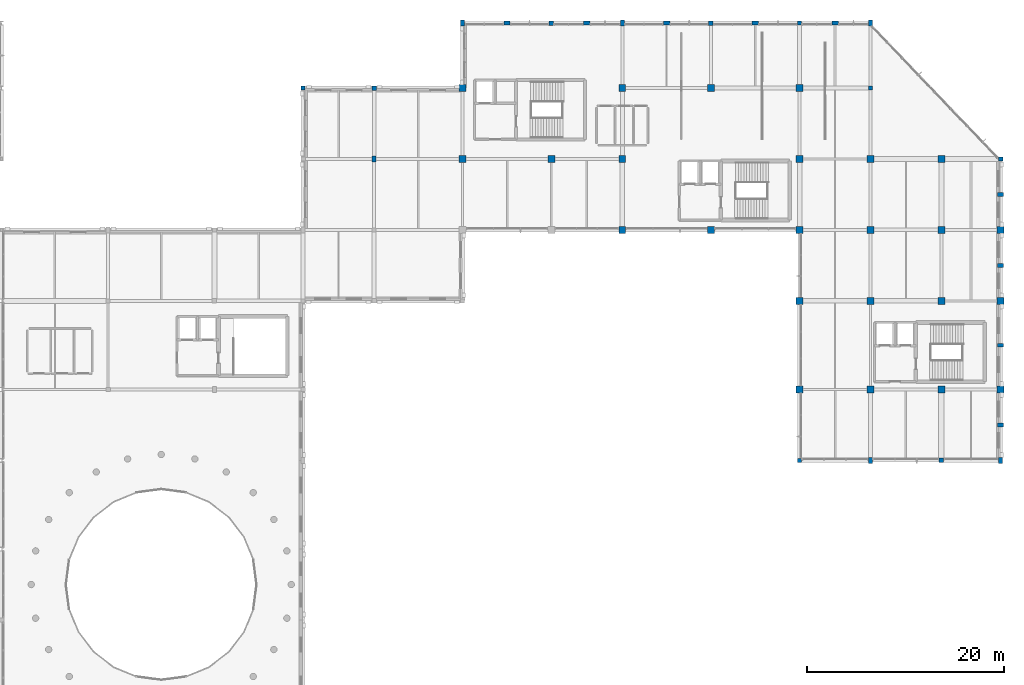
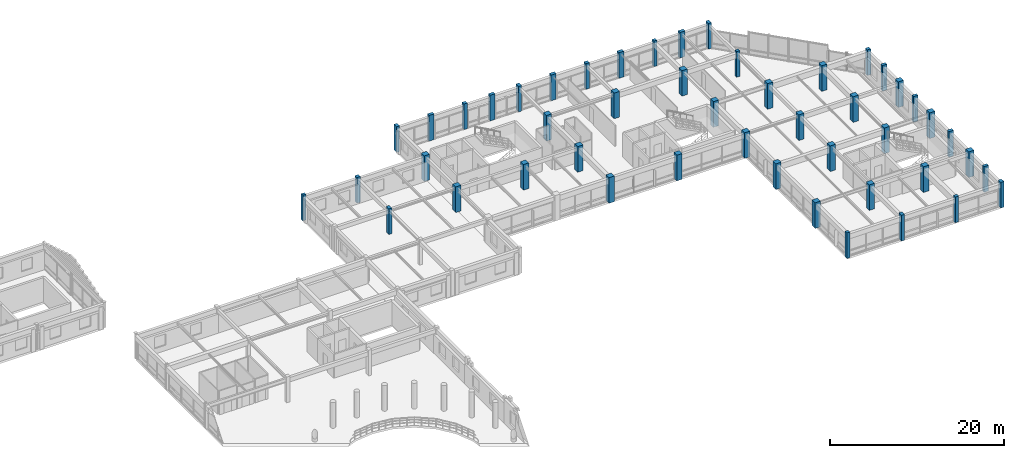
# One storey, part 10 of 52: 48 columns.
"""IFC4 building model written with IfcOpenShell, lengths in metres."""

from ifc_helpers import new_model, si_unit, direction, frame, origin, origin_2d, place, context, subcontext, project, spatial, rectangle, extrude, material, material_profile, profile_set, type_object, element, save


model = new_model("IFC4")

# Units and contexts
model_context = context("Model", 3, precision=1e-05, world=origin(), true_north=direction((0.0, 1.0)))
body_context = subcontext(model_context, "Body", "Model", "MODEL_VIEW")
ifc_project = project(units=[si_unit("LENGTHUNIT", "METRE"), si_unit("AREAUNIT", "SQUARE_METRE"), si_unit("VOLUMEUNIT", "CUBIC_METRE"), si_unit("PLANEANGLEUNIT", "RADIAN"), si_unit("MASSUNIT", "GRAM", prefix="KILO")], contexts=[model_context])

# Site, building, storey
site_placement = place(None, origin())
site = spatial("IfcSite", under=ifc_project, at=site_placement, CompositionType="ELEMENT")
building_placement = place(site_placement, origin())
building = spatial("IfcBuilding", under=site, at=building_placement, Name="Clarverna Civic Hall", CompositionType="ELEMENT")
storey_placement = place(building_placement, frame((0.0, 0.0, 16.800048828125)))
storey = spatial("IfcBuildingStorey", under=building, at=storey_placement, Name="L04", CompositionType="ELEMENT", Elevation=16.800048828125)

# Columns
ifc_material_1 = material(Name="Precast concrete C40/50", Category="concrete")
ifc_material_profile_1 = material_profile(ifc_material_1, rectangle(XDim=0.64990234375, YDim=0.419921875, at=origin_2d()), Name="PILASTER 650x420")
ifc_profile_set_1 = profile_set([ifc_material_profile_1], Name="Precast concrete C40/50")
column_type_1 = type_object("IfcColumnType", Name="C-PL1", PredefinedType="PILASTER", material=ifc_profile_set_1)
for number, where, z_axis, x_axis, name in (
    (1, (117.89990234375, 116.0, 0.0), (0.0, 0.0, 1.0), (1.0, 0.0, 0.0), "C-PL1-006"),
    (2, (126.0, 116.0, 0.0), (0.0, 0.0, 1.0), (1.0, 0.0, 0.0), "C-PL1-013"),
    (3, (134.10009765625, 116.0, 0.0), (0.0, 0.0, 1.0), (1.0, 0.0, 0.0), "C-PL1-020"),
    (4, (143.10009765625, 116.0, 0.0), (0.0, 0.0, 1.0), (1.0, 0.0, 0.0), "C-PL1-027"),
    (5, (151.199951171875, 116.0, 0.0), (0.0, 0.0, 1.0), (1.0, 0.0, 0.0), "C-PL1-034"),
):
    element("IfcColumn", number, at=place(storey_placement, frame(where, z_axis=z_axis, x_axis=x_axis)), inside=storey, type_object=column_type_1, Name=name, PredefinedType="PILASTER", context=body_context, shape_type="SweptSolid", body=[
        extrude(rectangle(XDim=0.64990234375, YDim=0.419921875, at=origin_2d()), origin(), (0.0, 0.0, 1.0), 3.599853515625),
    ])
ifc_material_profile_2 = material_profile(ifc_material_1, rectangle(XDim=0.580078125, YDim=0.3798828125, at=origin_2d()), Name="PILASTER 580x380")
ifc_profile_set_2 = profile_set([ifc_material_profile_2], Name="Precast concrete C40/50")
column_type_2 = type_object("IfcColumnType", Name="C-PL2", PredefinedType="PILASTER", material=ifc_profile_set_2)
for number, where, z_axis, x_axis, name in (
    (6, (168.0, 75.199951171875, 0.0), (0.0, 0.0, 1.0), (1.0, 0.0, 0.0), "C-PL2-006"),
    (7, (168.0, 83.300048828125, 0.0), (0.0, 0.0, 1.0), (1.0, 0.0, 0.0), "C-PL2-013"),
    (8, (168.0, 91.39990234375, 0.0), (0.0, 0.0, 1.0), (1.0, 0.0, 0.0), "C-PL2-020"),
    (9, (168.0, 98.60009765625, 0.0), (0.0, 0.0, 1.0), (1.0, 0.0, 0.0), "C-PL2-027"),
):
    element("IfcColumn", number, at=place(storey_placement, frame(where, z_axis=z_axis, x_axis=x_axis)), inside=storey, type_object=column_type_2, Name=name, PredefinedType="PILASTER", context=body_context, shape_type="SweptSolid", body=[
        extrude(rectangle(XDim=0.580078125, YDim=0.3798828125, at=origin_2d()), origin(), (0.0, 0.0, 1.0), 3.599853515625),
    ])
ifc_material_2 = material(Name="Concrete C35/45", Category="concrete")
ifc_material_profile_3 = material_profile(ifc_material_2, rectangle(XDim=0.449951171875, YDim=0.449951171875, at=origin_2d()), Name="RC 450x450")
ifc_profile_set_3 = profile_set([ifc_material_profile_3], Name="Concrete C35/45")
column_type_3 = type_object("IfcColumnType", Name="C-RC13", PredefinedType="COLUMN", material=ifc_profile_set_3)
for number, where, z_axis, x_axis, name in (
    (10, (104.39990234375, 109.39990234375, 0.0), (0.0, 0.0, 1.0), (1.0, 0.0, 0.0), "C-RC13-027"),
    (11, (122.39990234375, 116.0, 0.0), (0.0, 0.0, 1.0), (1.0, 0.0, 0.0), "C-RC13-029"),
    (12, (138.60009765625, 116.0, 0.0), (0.0, 0.0, 1.0), (1.0, 0.0, 0.0), "C-RC13-031"),
    (13, (162.0, 71.60009765625, 0.0), (0.0, 0.0, 1.0), (1.0, 0.0, 0.0), "C-RC13-036"),
    (14, (168.0, 102.199951171875, 0.0), (0.0, 0.0, 1.0), (1.0, 0.0, 0.0), "C-RC13-038"),
):
    element("IfcColumn", number, at=place(storey_placement, frame(where, z_axis=z_axis, x_axis=x_axis)), inside=storey, type_object=column_type_3, Name=name, PredefinedType="COLUMN", context=body_context, shape_type="SweptSolid", body=[
        extrude(rectangle(XDim=0.449951171875, YDim=0.449951171875, at=origin_2d()), origin(), (0.0, 0.0, 1.0), 3.599853515625),
    ])
ifc_material_profile_4 = material_profile(ifc_material_2, rectangle(XDim=0.39990234375, YDim=0.39990234375, at=origin_2d()), Name="RC 400x400")
ifc_profile_set_4 = profile_set([ifc_material_profile_4], Name="Concrete C35/45")
column_type_4 = type_object("IfcColumnType", Name="C-RC14", PredefinedType="COLUMN", material=ifc_profile_set_4)
for number, where, z_axis, x_axis, name in (
    (15, (97.199951171875, 109.39990234375, 0.0), (0.0, 0.0, 1.0), (1.0, 0.0, 0.0), "C-RC14-004"),
    (16, (147.60009765625, 71.60009765625, 0.0), (0.0, 0.0, 1.0), (1.0, 0.0, 0.0), "C-RC14-007"),
    (17, (147.60009765625, 116.0, 0.0), (0.0, 0.0, 1.0), (1.0, 0.0, 0.0), "C-RC14-009"),
    (18, (154.800048828125, 109.39990234375, 0.0), (0.0, 0.0, 1.0), (1.0, 0.0, 0.0), "C-RC14-011"),
):
    element("IfcColumn", number, at=place(storey_placement, frame(where, z_axis=z_axis, x_axis=x_axis)), inside=storey, type_object=column_type_4, Name=name, PredefinedType="COLUMN", context=body_context, shape_type="SweptSolid", body=[
        extrude(rectangle(XDim=0.39990234375, YDim=0.39990234375, at=origin_2d()), origin(), (0.0, 0.0, 1.0), 3.599853515625),
    ])
ifc_material_profile_5 = material_profile(ifc_material_2, rectangle(XDim=0.39990234375, YDim=0.60009765625, at=origin_2d()), Name="RC 400x600")
ifc_profile_set_5 = profile_set([ifc_material_profile_5], Name="Concrete C35/45")
column_type_5 = type_object("IfcColumnType", Name="C-RC19", PredefinedType="COLUMN", material=ifc_profile_set_5)
for number, where, z_axis, x_axis, name in (
    (19, (104.39990234375, 102.199951171875, 0.0), (0.0, 0.0, 1.0), (1.0, 0.0, 0.0), "C-RC19-006"),
    (20, (113.39990234375, 116.0, 0.0), (0.0, 0.0, 1.0), (1.0, 0.0, 0.0), "C-RC19-007"),
    (21, (129.60009765625, 116.0, 0.0), (0.0, 0.0, 1.0), (1.0, 0.0, 0.0), "C-RC19-009"),
    (22, (154.800048828125, 71.60009765625, 0.0), (0.0, 0.0, 1.0), (1.0, 0.0, 0.0), "C-RC19-011"),
    (23, (154.800048828125, 116.0, 0.0), (0.0, 0.0, 1.0), (1.0, 0.0, 0.0), "C-RC19-013"),
    (24, (168.0, 71.60009765625, 0.0), (0.0, 0.0, 1.0), (1.0, 0.0, 0.0), "C-RC19-015"),
):
    element("IfcColumn", number, at=place(storey_placement, frame(where, z_axis=z_axis, x_axis=x_axis)), inside=storey, type_object=column_type_5, Name=name, PredefinedType="COLUMN", context=body_context, shape_type="SweptSolid", body=[
        extrude(rectangle(XDim=0.39990234375, YDim=0.60009765625, at=origin_2d()), origin(), (0.0, 0.0, 1.0), 3.599853515625),
    ])
ifc_material_profile_6 = material_profile(ifc_material_2, rectangle(XDim=0.699951171875, YDim=0.699951171875, at=origin_2d()), Name="RC 700x700")
ifc_profile_set_6 = profile_set([ifc_material_profile_6], Name="Concrete C35/45")
column_type_6 = type_object("IfcColumnType", Name="C-RC8", PredefinedType="COLUMN", material=ifc_profile_set_6)
for number, where, z_axis, x_axis, name in (
    (25, (113.39990234375, 102.199951171875, 0.0), (0.0, 0.0, 1.0), (1.0, 0.0, 0.0), "C-RC8-046"),
    (26, (113.39990234375, 109.39990234375, 0.0), (0.0, 0.0, 1.0), (1.0, 0.0, 0.0), "C-RC8-047"),
    (27, (122.39990234375, 102.199951171875, 0.0), (0.0, 0.0, 1.0), (1.0, 0.0, 0.0), "C-RC8-049"),
    (28, (129.60009765625, 95.0, 0.0), (0.0, 0.0, 1.0), (1.0, 0.0, 0.0), "C-RC8-051"),
    (29, (129.60009765625, 102.199951171875, 0.0), (0.0, 0.0, 1.0), (1.0, 0.0, 0.0), "C-RC8-052"),
    (30, (129.60009765625, 109.39990234375, 0.0), (0.0, 0.0, 1.0), (1.0, 0.0, 0.0), "C-RC8-053"),
    (31, (138.60009765625, 95.0, 0.0), (0.0, 0.0, 1.0), (1.0, 0.0, 0.0), "C-RC8-054"),
    (32, (138.60009765625, 109.39990234375, 0.0), (0.0, 0.0, 1.0), (1.0, 0.0, 0.0), "C-RC8-055"),
    (33, (147.60009765625, 78.800048828125, 0.0), (0.0, 0.0, 1.0), (1.0, 0.0, 0.0), "C-RC8-057"),
    (34, (147.60009765625, 87.800048828125, 0.0), (0.0, 0.0, 1.0), (1.0, 0.0, 0.0), "C-RC8-058"),
    (35, (147.60009765625, 95.0, 0.0), (0.0, 0.0, 1.0), (1.0, 0.0, 0.0), "C-RC8-059"),
    (36, (147.60009765625, 102.199951171875, 0.0), (0.0, 0.0, 1.0), (1.0, 0.0, 0.0), "C-RC8-060"),
    (37, (147.60009765625, 109.39990234375, 0.0), (0.0, 0.0, 1.0), (1.0, 0.0, 0.0), "C-RC8-061"),
    (38, (154.800048828125, 78.800048828125, 0.0), (0.0, 0.0, 1.0), (1.0, 0.0, 0.0), "C-RC8-062"),
    (39, (154.800048828125, 87.800048828125, 0.0), (0.0, 0.0, 1.0), (1.0, 0.0, 0.0), "C-RC8-063"),
    (40, (154.800048828125, 95.0, 0.0), (0.0, 0.0, 1.0), (1.0, 0.0, 0.0), "C-RC8-064"),
    (41, (154.800048828125, 102.199951171875, 0.0), (0.0, 0.0, 1.0), (1.0, 0.0, 0.0), "C-RC8-065"),
    (42, (162.0, 78.800048828125, 0.0), (0.0, 0.0, 1.0), (1.0, 0.0, 0.0), "C-RC8-067"),
    (43, (162.0, 87.800048828125, 0.0), (0.0, 0.0, 1.0), (1.0, 0.0, 0.0), "C-RC8-068"),
    (44, (162.0, 95.0, 0.0), (0.0, 0.0, 1.0), (1.0, 0.0, 0.0), "C-RC8-069"),
    (45, (162.0, 102.199951171875, 0.0), (0.0, 0.0, 1.0), (1.0, 0.0, 0.0), "C-RC8-070"),
    (46, (168.0, 78.800048828125, 0.0), (0.0, 0.0, 1.0), (1.0, 0.0, 0.0), "C-RC8-071"),
    (47, (168.0, 87.800048828125, 0.0), (0.0, 0.0, 1.0), (1.0, 0.0, 0.0), "C-RC8-072"),
    (48, (168.0, 95.0, 0.0), (0.0, 0.0, 1.0), (1.0, 0.0, 0.0), "C-RC8-073"),
):
    element("IfcColumn", number, at=place(storey_placement, frame(where, z_axis=z_axis, x_axis=x_axis)), inside=storey, type_object=column_type_6, Name=name, PredefinedType="COLUMN", context=body_context, shape_type="SweptSolid", body=[
        extrude(rectangle(XDim=0.699951171875, YDim=0.699951171875, at=origin_2d()), origin(), (0.0, 0.0, 1.0), 3.599853515625),
    ])

save(model, "model.ifc")
